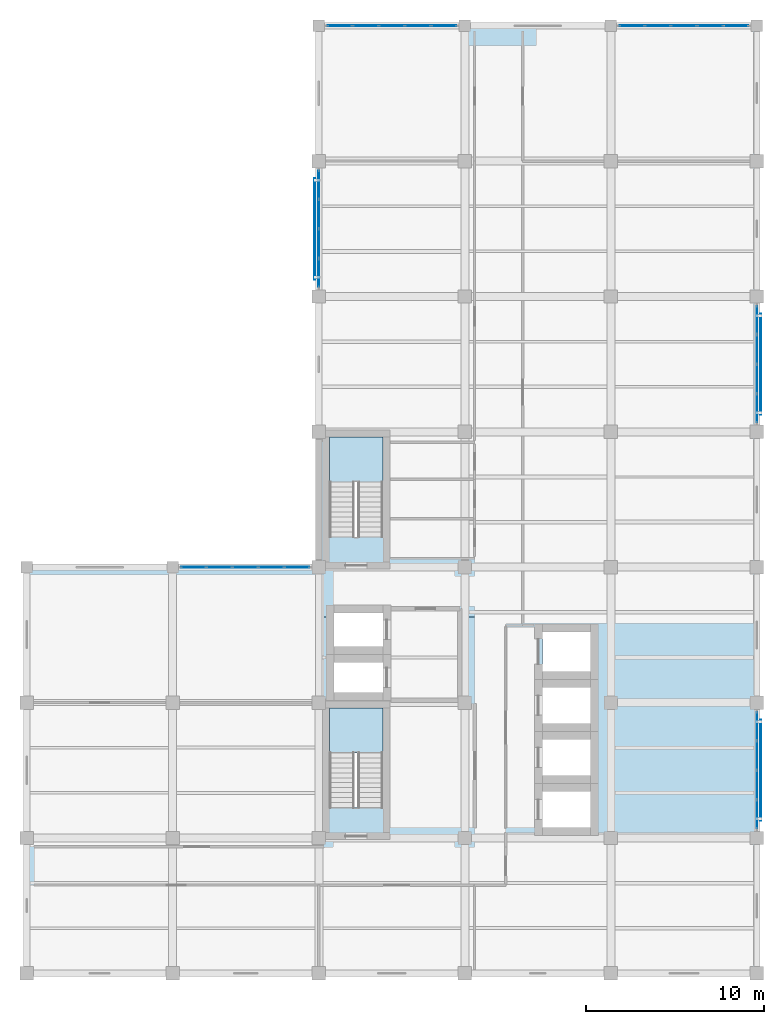
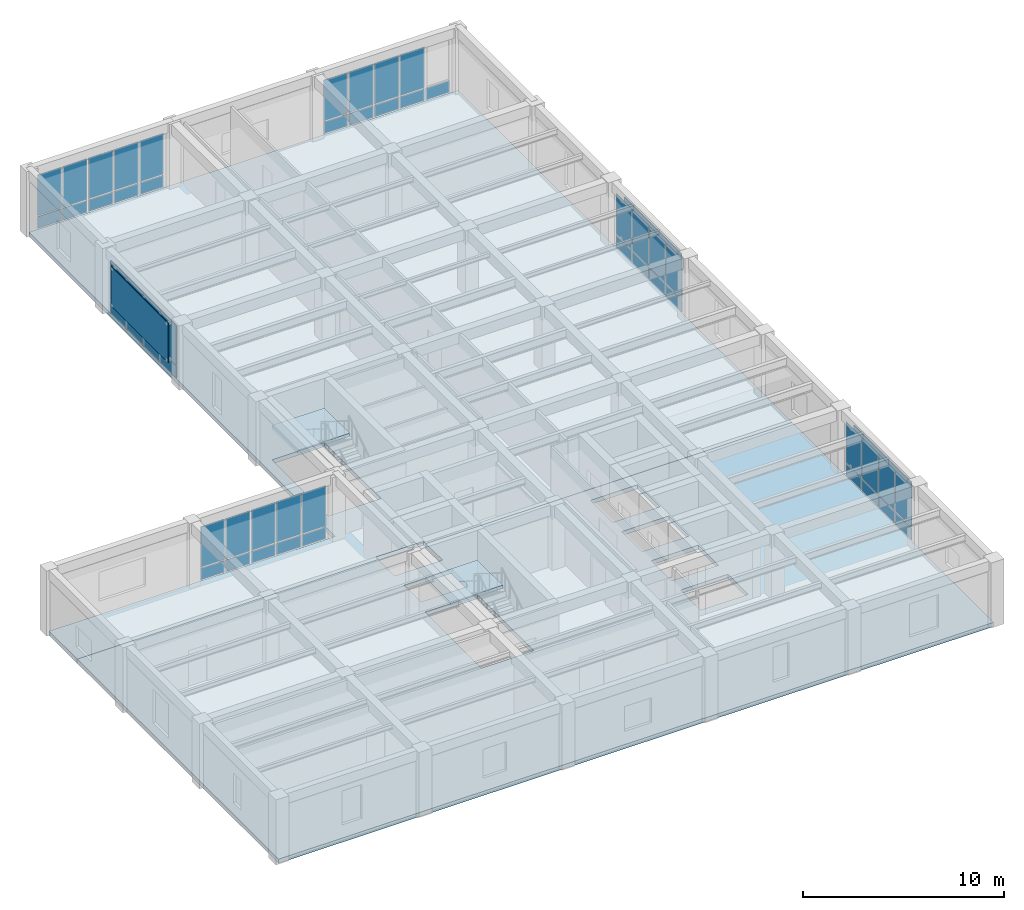
# One storey, part 6 of 14: 56 plates, 4 slabs, 8 elements without a shape of their own.
"""IFC4 building model written with IfcOpenShell, lengths in metres."""

import ifcopenshell
import ifcopenshell.guid

model = None  # the IFC model being written
_history = None  # IfcOwnerHistory: only IFC2X3 demands one
_inside = {}  # id of a spatial element -> (the spatial element, [elements in it])
_under = {}  # id of a project, library or spatial element -> (it, [spatial elements below it])
_declared = {}  # id of a project -> (the project, [libraries it declares])
_typed = {}  # id of a type object -> (the type object, [elements of that type])
_made_of = {}  # id of a material, layer set ... -> (it, [elements and type objects made of it])


def new_model(schema):
    """Start an empty IFC model of exactly this schema.

    Asked for "IFC4X3", IfcOpenShell would pick the latest addendum, in which some entities
    have other attributes; the version numbers below select the first issue.
    IFC2X3 requires an IfcOwnerHistory on every rooted entity: one is made here for all.
    """
    global model, _history
    if schema == "IFC4X3":
        model = ifcopenshell.file(schema_version=(4, 3, 0, 0))
    else:
        model = ifcopenshell.file(schema=schema)
    _inside.clear()
    _under.clear()
    _declared.clear()
    _typed.clear()
    _made_of.clear()
    _history = None
    if model.schema == "IFC2X3":
        org = make("IfcOrganization", Name="unknown")
        user = make(
            "IfcPersonAndOrganization",
            ThePerson=make("IfcPerson", FamilyName="unknown"),
            TheOrganization=org,
        )
        app = make(
            "IfcApplication",
            ApplicationDeveloper=org,
            Version="unknown",
            ApplicationFullName="unknown",
            ApplicationIdentifier="unknown",
        )
        _history = make(
            "IfcOwnerHistory",
            OwningUser=user,
            OwningApplication=app,
            ChangeAction="ADDED",
            CreationDate=0,
        )
    return model


def make(cls, **values):
    """One entity of the class cls with the attributes given. An attribute that is None is left unset."""
    return model.create_entity(
        cls, **{name: value for name, value in values.items() if value is not None}
    )


def rooted(cls, **values):
    """An entity with a GlobalId (a new one), such as an element, a storey or a relation."""
    return make(cls, GlobalId=ifcopenshell.guid.new(), OwnerHistory=_history, **values)


def si_unit(unit_type, name, prefix=None):
    """IfcSIUnit, for example si_unit("LENGTHUNIT", "METRE", prefix="MILLI")."""
    return make("IfcSIUnit", UnitType=unit_type, Prefix=prefix, Name=name)


def assignment(units):
    """IfcUnitAssignment: the units of a project."""
    return None if units is None else make("IfcUnitAssignment", Units=units)


def point(xyz):
    """IfcCartesianPoint."""
    return None if xyz is None else make("IfcCartesianPoint", Coordinates=xyz)


def direction(xyz):
    """IfcDirection."""
    return None if xyz is None else make("IfcDirection", DirectionRatios=xyz)


def frame(location, z_axis=None, x_axis=None):
    """IfcAxis2Placement3D, a coordinate frame: its origin and axes. An axis left out is left unset."""
    return make(
        "IfcAxis2Placement3D",
        Location=point(location),
        Axis=direction(z_axis),
        RefDirection=direction(x_axis),
    )


def frame_2d(location, x_axis=None):
    """IfcAxis2Placement2D, a coordinate frame in the plane: its origin and x axis."""
    return make(
        "IfcAxis2Placement2D", Location=point(location), RefDirection=direction(x_axis)
    )


def origin():
    """The frame at (0, 0, 0) with its axes left unset."""
    return frame((0.0, 0.0, 0.0))


def origin_2d():
    """The frame at (0, 0) in the plane with its x axis left unset."""
    return frame_2d((0.0, 0.0))


def place(relative_to, where):
    """IfcLocalPlacement: puts the frame where relative to a parent placement (None: the world)."""
    return make(
        "IfcLocalPlacement", PlacementRelTo=relative_to, RelativePlacement=where
    )


def context(
    kind, dimensions, precision=None, world=None, true_north=None, identifier=None
):
    """IfcGeometricRepresentationContext, for example the 3D "Model" context."""
    return make(
        "IfcGeometricRepresentationContext",
        ContextIdentifier=identifier,
        ContextType=kind,
        CoordinateSpaceDimension=dimensions,
        Precision=precision,
        WorldCoordinateSystem=world,
        TrueNorth=true_north,
    )


def subcontext(parent, identifier, kind, view, scale=None):
    """IfcGeometricRepresentationSubContext, for example "Body" below "Model"."""
    return make(
        "IfcGeometricRepresentationSubContext",
        ContextIdentifier=identifier,
        ContextType=kind,
        ParentContext=parent,
        TargetScale=scale,
        TargetView=view,
    )


def project(units=None, contexts=None):
    """IfcProject with its units and contexts."""
    return rooted(
        "IfcProject",
        Name="project",
        RepresentationContexts=contexts,
        UnitsInContext=assignment(units),
    )


def spatial(cls, under=None, at=None, **own):
    """A site, building, storey or space (cls), placed at a placement, below another one or the project."""
    s = rooted(cls, ObjectPlacement=at, **own)
    if under is not None:
        _under.setdefault(under.id(), (under, []))[1].append(s)
    return s


def polyline(points):
    """IfcPolyline through the points."""
    return make("IfcPolyline", Points=[point(p) for p in points])


def profile(cls, at=None, kind="AREA", **sizes):
    """A parametric profile (cls). Its sizes go by their IFC names, for example OverallWidth=200.0."""
    return make(cls, ProfileType=kind, Position=at, **sizes)


def rectangle(**sizes):
    """IfcRectangleProfileDef."""
    return profile("IfcRectangleProfileDef", **sizes)


def outline(outer, holes=None, kind="AREA"):
    """IfcArbitraryClosedProfileDef: a profile drawn as a closed curve; with holes, ...WithVoids."""
    if holes is None:
        return make("IfcArbitraryClosedProfileDef", ProfileType=kind, OuterCurve=outer)
    return make(
        "IfcArbitraryProfileDefWithVoids",
        ProfileType=kind,
        OuterCurve=outer,
        InnerCurves=holes,
    )


def extrude(swept, where, along, depth):
    """IfcExtrudedAreaSolid: the profile swept, set in the frame where, extruded along a direction by depth."""
    return make(
        "IfcExtrudedAreaSolid",
        SweptArea=swept,
        Position=where,
        ExtrudedDirection=direction(along),
        Depth=depth,
    )


def shape(context_of_items, identifier, shape_type, items):
    """IfcShapeRepresentation: the items that make up one representation, for example the "Body"."""
    return make(
        "IfcShapeRepresentation",
        ContextOfItems=context_of_items,
        RepresentationIdentifier=identifier,
        RepresentationType=shape_type,
        Items=items,
    )


def material(Name=None, Category=None):
    """IfcMaterial."""
    return make("IfcMaterial", Name=Name, Category=Category)


def layer(
    of_material, thickness, ventilated=None, Name=None, Category=None, Priority=None
):
    """IfcMaterialLayer: one layer of a wall or slab, of a material (None: an air gap)."""
    return make(
        "IfcMaterialLayer",
        Material=of_material,
        LayerThickness=thickness,
        IsVentilated=ventilated,
        Name=Name,
        Category=Category,
        Priority=Priority,
    )


def layer_set(layers, Name=None):
    """IfcMaterialLayerSet."""
    return make("IfcMaterialLayerSet", MaterialLayers=layers, LayerSetName=Name)


def made_of(thing, what):
    """Note that an element or type object is made of a material, layer set ...; save() writes the relation."""
    if what is not None:
        _made_of.setdefault(what.id(), (what, []))[1].append(thing)
    return thing


def type_object(cls, material=None, **own):
    """A type object (cls), such as IfcWallType, which elements share."""
    return made_of(rooted(cls, **own), material)


def element(
    cls,
    number,
    at=None,
    inside=None,
    cuts=None,
    type_object=None,
    material=None,
    context=None,
    identifier="Body",
    shape_type=None,
    held_by="IfcProductDefinitionShape",
    body=None,
    shapes=None,
    **own,
):
    """One element of the class cls, such as IfcWall. Its Tag is "e" and its number.

    at: its placement. inside: the storey or other place that contains it. cuts: it is an
    opening in that element (IfcRelVoidsElement). A single representation is given by context,
    identifier, shape_type and body (its items); several are given by shapes. held_by: the class
    of the entity that holds the representations. save() writes the other relations.
    """
    e = rooted(cls, Tag="e%d" % number, ObjectPlacement=at, **own)
    if body is not None:
        shapes = [shape(context, identifier, shape_type, body)]
    if shapes is not None:
        e.Representation = make(held_by, Representations=shapes)
    if inside is not None:
        _inside.setdefault(inside.id(), (inside, []))[1].append(e)
    if cuts is not None:
        rooted(
            "IfcRelVoidsElement", RelatingBuildingElement=cuts, RelatedOpeningElement=e
        )
    if type_object is not None:
        _typed.setdefault(type_object.id(), (type_object, []))[1].append(e)
    return made_of(e, material)


def aggregate(whole, parts):
    """IfcRelAggregates: a whole, such as a stair, and the parts it consists of."""
    return rooted("IfcRelAggregates", RelatingObject=whole, RelatedObjects=parts)


def save(model, path):
    """Write the relations noted so far, then the file.

    IfcRelAggregates (storeys below a building ...), IfcRelContainedInSpatialStructure (elements
    in a storey), IfcRelDefinesByType, IfcRelAssociatesMaterial and IfcRelDeclares: one each for
    every whole, place, type object, material and project.
    """
    for whole, parts in _under.values():
        aggregate(whole, parts)
    for where, things in _inside.values():
        rooted(
            "IfcRelContainedInSpatialStructure",
            RelatedElements=things,
            RelatingStructure=where,
        )
    for kind, things in _typed.values():
        rooted("IfcRelDefinesByType", RelatedObjects=things, RelatingType=kind)
    for what, things in _made_of.values():
        rooted("IfcRelAssociatesMaterial", RelatedObjects=things, RelatingMaterial=what)
    for by, libraries in _declared.values():
        rooted("IfcRelDeclares", RelatingContext=by, RelatedDefinitions=libraries)
    model.write(path)


model = new_model("IFC4")

# Units and contexts
model_context = context("Model", 3, precision=1e-05, world=origin(), true_north=direction((0.0, 1.0)))
body_context = subcontext(model_context, "Body", "Model", "MODEL_VIEW")
ifc_project = project(units=[si_unit("LENGTHUNIT", "METRE"), si_unit("AREAUNIT", "SQUARE_METRE"), si_unit("VOLUMEUNIT", "CUBIC_METRE"), si_unit("PLANEANGLEUNIT", "RADIAN"), si_unit("MASSUNIT", "GRAM", prefix="KILO")], contexts=[model_context])

# Site, building, storey
site_placement = place(None, origin())
site = spatial("IfcSite", under=ifc_project, at=site_placement, CompositionType="ELEMENT")
building_placement = place(site_placement, origin())
building = spatial("IfcBuilding", under=site, at=building_placement, Name="Qandaris Square Conservatory and Botanical Centre", CompositionType="ELEMENT")
storey_placement = place(building_placement, frame((0.0, 0.0, 49.199951171875)))
storey = spatial("IfcBuildingStorey", under=building, at=storey_placement, Name="L11", CompositionType="ELEMENT", Elevation=49.199951171875)

# Curtain wall, plates
ifc_material_1 = material(Name="Anodised Aluminium", Category="aluminium")
curtain_wall_type_1 = type_object("IfcCurtainWallType", Name="Unitised Curtain Wall CW-4-665x334", PredefinedType="USERDEFINED", material=ifc_material_1)
curtain_wall_1_placement = place(storey_placement, origin())
curtain_wall_1 = element("IfcCurtainWall", 1, at=curtain_wall_1_placement, inside=storey, type_object=curtain_wall_type_1, Name="Curtain Wall CW-TWR-L11-2-2", ObjectType="GLAZED CURTAIN WALL", PredefinedType="USERDEFINED")
ifc_material_2 = material(Name="Tempered Low-E Glass", Category="glass")
ifc_layer_1 = layer(ifc_material_2, 0.035888671875)
ifc_layer_set_1 = layer_set([ifc_layer_1], Name="Tempered Low-E Glass")
plate_type_1 = type_object("IfcPlateType", Name="Double-Glazed Solar Control Vision Unit 36mm", PredefinedType="CURTAIN_PANEL", material=ifc_layer_set_1)
plate_1_placement = place(storey_placement, frame((163.800048828125, 25.5224609375, 0.06494140625), z_axis=(0.0, 0.0, 1.0), x_axis=(0.0, 1.0, 0.0)))
plate_1 = element("IfcPlate", 2, at=plate_1_placement, type_object=plate_type_1, Name="CW-4-665x334 panel 1.1", PredefinedType="CURTAIN_PANEL", context=body_context, shape_type="SweptSolid", body=[
    extrude(rectangle(XDim=1.56494140625, YDim=0.035888671875, at=origin_2d()), origin(), (0.0, 0.0, 1.0), 0.705322265625),
])
plate_2_placement = place(storey_placement, frame((163.800048828125, 25.5224609375, 0.83544921875), z_axis=(0.0, 0.0, 1.0), x_axis=(0.0, 1.0, 0.0)))
plate_2 = element("IfcPlate", 3, at=plate_2_placement, type_object=plate_type_1, Name="CW-4-665x334 panel 1.2", PredefinedType="CURTAIN_PANEL", context=body_context, shape_type="SweptSolid", body=[
    extrude(rectangle(XDim=1.56494140625, YDim=0.035888671875, at=origin_2d()), origin(), (0.0, 0.0, 1.0), 2.444580078125),
])
plate_3_placement = place(storey_placement, frame((163.800048828125, 27.168701171875, 0.06494140625), z_axis=(0.0, 0.0, 1.0), x_axis=(0.0, 1.0, 0.0)))
plate_3 = element("IfcPlate", 4, at=plate_3_placement, type_object=plate_type_1, Name="CW-4-665x334 panel 2.1", PredefinedType="CURTAIN_PANEL", context=body_context, shape_type="SweptSolid", body=[
    extrude(rectangle(XDim=1.597412109375, YDim=0.035888671875, at=origin_2d()), origin(), (0.0, 0.0, 1.0), 0.705322265625),
])
plate_4_placement = place(storey_placement, frame((163.800048828125, 27.168701171875, 0.83544921875), z_axis=(0.0, 0.0, 1.0), x_axis=(0.0, 1.0, 0.0)))
plate_4 = element("IfcPlate", 5, at=plate_4_placement, type_object=plate_type_1, Name="CW-4-665x334 panel 2.2", PredefinedType="CURTAIN_PANEL", context=body_context, shape_type="SweptSolid", body=[
    extrude(rectangle(XDim=1.597412109375, YDim=0.035888671875, at=origin_2d()), origin(), (0.0, 0.0, 1.0), 2.444580078125),
])
plate_5_placement = place(storey_placement, frame((163.800048828125, 28.831298828125, 0.06494140625), z_axis=(0.0, 0.0, 1.0), x_axis=(0.0, 1.0, 0.0)))
plate_5 = element("IfcPlate", 6, at=plate_5_placement, type_object=plate_type_1, Name="CW-4-665x334 panel 3.1", PredefinedType="CURTAIN_PANEL", context=body_context, shape_type="SweptSolid", body=[
    extrude(rectangle(XDim=1.597412109375, YDim=0.035888671875, at=origin_2d()), origin(), (0.0, 0.0, 1.0), 0.705322265625),
])
plate_6_placement = place(storey_placement, frame((163.800048828125, 28.831298828125, 0.83544921875), z_axis=(0.0, 0.0, 1.0), x_axis=(0.0, 1.0, 0.0)))
plate_6 = element("IfcPlate", 7, at=plate_6_placement, type_object=plate_type_1, Name="CW-4-665x334 panel 3.2", PredefinedType="CURTAIN_PANEL", context=body_context, shape_type="SweptSolid", body=[
    extrude(rectangle(XDim=1.597412109375, YDim=0.035888671875, at=origin_2d()), origin(), (0.0, 0.0, 1.0), 2.444580078125),
])
plate_7_placement = place(storey_placement, frame((163.800048828125, 30.4775390625, 0.06494140625), z_axis=(0.0, 0.0, 1.0), x_axis=(0.0, 1.0, 0.0)))
plate_7 = element("IfcPlate", 8, at=plate_7_placement, type_object=plate_type_1, Name="CW-4-665x334 panel 4.1", PredefinedType="CURTAIN_PANEL", context=body_context, shape_type="SweptSolid", body=[
    extrude(rectangle(XDim=1.56494140625, YDim=0.035888671875, at=origin_2d()), origin(), (0.0, 0.0, 1.0), 0.705322265625),
])
plate_8_placement = place(storey_placement, frame((163.800048828125, 30.4775390625, 0.83544921875), z_axis=(0.0, 0.0, 1.0), x_axis=(0.0, 1.0, 0.0)))
plate_8 = element("IfcPlate", 9, at=plate_8_placement, type_object=plate_type_1, Name="CW-4-665x334 panel 4.2", PredefinedType="CURTAIN_PANEL", context=body_context, shape_type="SweptSolid", body=[
    extrude(rectangle(XDim=1.56494140625, YDim=0.035888671875, at=origin_2d()), origin(), (0.0, 0.0, 1.0), 2.444580078125),
])
aggregate(curtain_wall_1, [plate_1, plate_2, plate_3, plate_4, plate_5, plate_6, plate_7, plate_8])

curtain_wall_2_placement = place(storey_placement, origin())
curtain_wall_2 = element("IfcCurtainWall", 10, at=curtain_wall_2_placement, inside=storey, type_object=curtain_wall_type_1, Name="Curtain Wall CW-TWR-L11-2-5", ObjectType="GLAZED CURTAIN WALL", PredefinedType="USERDEFINED")
plate_9_placement = place(storey_placement, frame((163.800048828125, 48.322509765625, 0.06494140625), z_axis=(0.0, 0.0, 1.0), x_axis=(0.0, 1.0, 0.0)))
plate_9 = element("IfcPlate", 11, at=plate_9_placement, type_object=plate_type_1, Name="CW-4-665x334 panel 1.1", PredefinedType="CURTAIN_PANEL", context=body_context, shape_type="SweptSolid", body=[
    extrude(rectangle(XDim=1.56494140625, YDim=0.035888671875, at=origin_2d()), origin(), (0.0, 0.0, 1.0), 0.705322265625),
])
plate_10_placement = place(storey_placement, frame((163.800048828125, 48.322509765625, 0.83544921875), z_axis=(0.0, 0.0, 1.0), x_axis=(0.0, 1.0, 0.0)))
plate_10 = element("IfcPlate", 12, at=plate_10_placement, type_object=plate_type_1, Name="CW-4-665x334 panel 1.2", PredefinedType="CURTAIN_PANEL", context=body_context, shape_type="SweptSolid", body=[
    extrude(rectangle(XDim=1.56494140625, YDim=0.035888671875, at=origin_2d()), origin(), (0.0, 0.0, 1.0), 2.444580078125),
])
plate_11_placement = place(storey_placement, frame((163.800048828125, 49.96875, 0.06494140625), z_axis=(0.0, 0.0, 1.0), x_axis=(0.0, 1.0, 0.0)))
plate_11 = element("IfcPlate", 13, at=plate_11_placement, type_object=plate_type_1, Name="CW-4-665x334 panel 2.1", PredefinedType="CURTAIN_PANEL", context=body_context, shape_type="SweptSolid", body=[
    extrude(rectangle(XDim=1.597412109375, YDim=0.035888671875, at=origin_2d()), origin(), (0.0, 0.0, 1.0), 0.705322265625),
])
plate_12_placement = place(storey_placement, frame((163.800048828125, 49.96875, 0.83544921875), z_axis=(0.0, 0.0, 1.0), x_axis=(0.0, 1.0, 0.0)))
plate_12 = element("IfcPlate", 14, at=plate_12_placement, type_object=plate_type_1, Name="CW-4-665x334 panel 2.2", PredefinedType="CURTAIN_PANEL", context=body_context, shape_type="SweptSolid", body=[
    extrude(rectangle(XDim=1.597412109375, YDim=0.035888671875, at=origin_2d()), origin(), (0.0, 0.0, 1.0), 2.444580078125),
])
plate_13_placement = place(storey_placement, frame((163.800048828125, 51.63134765625, 0.06494140625), z_axis=(0.0, 0.0, 1.0), x_axis=(0.0, 1.0, 0.0)))
plate_13 = element("IfcPlate", 15, at=plate_13_placement, type_object=plate_type_1, Name="CW-4-665x334 panel 3.1", PredefinedType="CURTAIN_PANEL", context=body_context, shape_type="SweptSolid", body=[
    extrude(rectangle(XDim=1.597412109375, YDim=0.035888671875, at=origin_2d()), origin(), (0.0, 0.0, 1.0), 0.705322265625),
])
plate_14_placement = place(storey_placement, frame((163.800048828125, 51.63134765625, 0.83544921875), z_axis=(0.0, 0.0, 1.0), x_axis=(0.0, 1.0, 0.0)))
plate_14 = element("IfcPlate", 16, at=plate_14_placement, type_object=plate_type_1, Name="CW-4-665x334 panel 3.2", PredefinedType="CURTAIN_PANEL", context=body_context, shape_type="SweptSolid", body=[
    extrude(rectangle(XDim=1.597412109375, YDim=0.035888671875, at=origin_2d()), origin(), (0.0, 0.0, 1.0), 2.444580078125),
])
plate_15_placement = place(storey_placement, frame((163.800048828125, 53.277587890625, 0.06494140625), z_axis=(0.0, 0.0, 1.0), x_axis=(0.0, 1.0, 0.0)))
plate_15 = element("IfcPlate", 17, at=plate_15_placement, type_object=plate_type_1, Name="CW-4-665x334 panel 4.1", PredefinedType="CURTAIN_PANEL", context=body_context, shape_type="SweptSolid", body=[
    extrude(rectangle(XDim=1.56494140625, YDim=0.035888671875, at=origin_2d()), origin(), (0.0, 0.0, 1.0), 0.705322265625),
])
plate_16_placement = place(storey_placement, frame((163.800048828125, 53.277587890625, 0.83544921875), z_axis=(0.0, 0.0, 1.0), x_axis=(0.0, 1.0, 0.0)))
plate_16 = element("IfcPlate", 18, at=plate_16_placement, type_object=plate_type_1, Name="CW-4-665x334 panel 4.2", PredefinedType="CURTAIN_PANEL", context=body_context, shape_type="SweptSolid", body=[
    extrude(rectangle(XDim=1.56494140625, YDim=0.035888671875, at=origin_2d()), origin(), (0.0, 0.0, 1.0), 2.444580078125),
])
aggregate(curtain_wall_2, [plate_9, plate_10, plate_11, plate_12, plate_13, plate_14, plate_15, plate_16])

curtain_wall_type_2 = type_object("IfcCurtainWallType", Name="Unitised Curtain Wall CW-3-735x337", PredefinedType="USERDEFINED", material=ifc_material_1)
curtain_wall_3_placement = place(storey_placement, origin())
curtain_wall_3 = element("IfcCurtainWall", 19, at=curtain_wall_3_placement, inside=storey, type_object=curtain_wall_type_2, Name="Curtain Wall CW-TWR-L11-3-1", ObjectType="GLAZED CURTAIN WALL", PredefinedType="USERDEFINED")
plate_17_placement = place(storey_placement, frame((162.623779296875, 69.800048828125, 0.06494140625), z_axis=(0.0, 0.0, 1.0), x_axis=(-1.0, 0.0, 0.0)))
plate_17 = element("IfcPlate", 20, at=plate_17_placement, type_object=plate_type_1, Name="CW-3-735x337 panel 1.1", PredefinedType="CURTAIN_PANEL", context=body_context, shape_type="SweptSolid", body=[
    extrude(rectangle(XDim=1.37255859375, YDim=0.035888671875, at=origin_2d()), origin(), (0.0, 0.0, 1.0), 0.711181640625),
])
plate_18_placement = place(storey_placement, frame((161.169921875, 69.800048828125, 0.06494140625), z_axis=(0.0, 0.0, 1.0), x_axis=(-1.0, 0.0, 0.0)))
plate_18 = element("IfcPlate", 21, at=plate_18_placement, type_object=plate_type_1, Name="CW-3-735x337 panel 2.1", PredefinedType="CURTAIN_PANEL", context=body_context, shape_type="SweptSolid", body=[
    extrude(rectangle(XDim=1.405029296875, YDim=0.035888671875, at=origin_2d()), origin(), (0.0, 0.0, 1.0), 0.711181640625),
])
plate_19_placement = place(storey_placement, frame((161.169921875, 69.800048828125, 0.84130859375), z_axis=(0.0, 0.0, 1.0), x_axis=(-1.0, 0.0, 0.0)))
plate_19 = element("IfcPlate", 22, at=plate_19_placement, type_object=plate_type_1, Name="CW-3-735x337 panel 2.2", PredefinedType="CURTAIN_PANEL", context=body_context, shape_type="SweptSolid", body=[
    extrude(rectangle(XDim=1.405029296875, YDim=0.035888671875, at=origin_2d()), origin(), (0.0, 0.0, 1.0), 2.463623046875),
])
plate_20_placement = place(storey_placement, frame((159.699951171875, 69.800048828125, 0.06494140625), z_axis=(0.0, 0.0, 1.0), x_axis=(-1.0, 0.0, 0.0)))
plate_20 = element("IfcPlate", 23, at=plate_20_placement, type_object=plate_type_1, Name="CW-3-735x337 panel 3.1", PredefinedType="CURTAIN_PANEL", context=body_context, shape_type="SweptSolid", body=[
    extrude(rectangle(XDim=1.405029296875, YDim=0.035888671875, at=origin_2d()), origin(), (0.0, 0.0, 1.0), 0.711181640625),
])
plate_21_placement = place(storey_placement, frame((159.699951171875, 69.800048828125, 0.84130859375), z_axis=(0.0, 0.0, 1.0), x_axis=(-1.0, 0.0, 0.0)))
plate_21 = element("IfcPlate", 24, at=plate_21_placement, type_object=plate_type_1, Name="CW-3-735x337 panel 3.2", PredefinedType="CURTAIN_PANEL", context=body_context, shape_type="SweptSolid", body=[
    extrude(rectangle(XDim=1.405029296875, YDim=0.035888671875, at=origin_2d()), origin(), (0.0, 0.0, 1.0), 2.463623046875),
])
plate_22_placement = place(storey_placement, frame((158.22998046875, 69.800048828125, 0.06494140625), z_axis=(0.0, 0.0, 1.0), x_axis=(-1.0, 0.0, 0.0)))
plate_22 = element("IfcPlate", 25, at=plate_22_placement, type_object=plate_type_1, Name="CW-3-735x337 panel 4.1", PredefinedType="CURTAIN_PANEL", context=body_context, shape_type="SweptSolid", body=[
    extrude(rectangle(XDim=1.405029296875, YDim=0.035888671875, at=origin_2d()), origin(), (0.0, 0.0, 1.0), 0.711181640625),
])
plate_23_placement = place(storey_placement, frame((158.22998046875, 69.800048828125, 0.84130859375), z_axis=(0.0, 0.0, 1.0), x_axis=(-1.0, 0.0, 0.0)))
plate_23 = element("IfcPlate", 26, at=plate_23_placement, type_object=plate_type_1, Name="CW-3-735x337 panel 4.2", PredefinedType="CURTAIN_PANEL", context=body_context, shape_type="SweptSolid", body=[
    extrude(rectangle(XDim=1.405029296875, YDim=0.035888671875, at=origin_2d()), origin(), (0.0, 0.0, 1.0), 2.463623046875),
])
plate_24_placement = place(storey_placement, frame((156.7763671875, 69.800048828125, 0.06494140625), z_axis=(0.0, 0.0, 1.0), x_axis=(-1.0, 0.0, 0.0)))
plate_24 = element("IfcPlate", 27, at=plate_24_placement, type_object=plate_type_1, Name="CW-3-735x337 panel 5.1", PredefinedType="CURTAIN_PANEL", context=body_context, shape_type="SweptSolid", body=[
    extrude(rectangle(XDim=1.37255859375, YDim=0.035888671875, at=origin_2d()), origin(), (0.0, 0.0, 1.0), 0.711181640625),
])
plate_25_placement = place(storey_placement, frame((156.7763671875, 69.800048828125, 0.84130859375), z_axis=(0.0, 0.0, 1.0), x_axis=(-1.0, 0.0, 0.0)))
plate_25 = element("IfcPlate", 28, at=plate_25_placement, type_object=plate_type_1, Name="CW-3-735x337 panel 5.2", PredefinedType="CURTAIN_PANEL", context=body_context, shape_type="SweptSolid", body=[
    extrude(rectangle(XDim=1.37255859375, YDim=0.035888671875, at=origin_2d()), origin(), (0.0, 0.0, 1.0), 2.463623046875),
])
aggregate(curtain_wall_3, [plate_17, plate_18, plate_19, plate_20, plate_21, plate_22, plate_23, plate_24, plate_25])

curtain_wall_4_placement = place(storey_placement, origin())
curtain_wall_4 = element("IfcCurtainWall", 29, at=curtain_wall_4_placement, inside=storey, type_object=curtain_wall_type_2, Name="Curtain Wall CW-TWR-L11-3-3", ObjectType="GLAZED CURTAIN WALL", PredefinedType="USERDEFINED")
plate_26_placement = place(storey_placement, frame((146.2236328125, 69.800048828125, 0.06494140625), z_axis=(0.0, 0.0, 1.0), x_axis=(-1.0, 0.0, 0.0)))
plate_26 = element("IfcPlate", 30, at=plate_26_placement, type_object=plate_type_1, Name="CW-3-735x337 panel 1.1", PredefinedType="CURTAIN_PANEL", context=body_context, shape_type="SweptSolid", body=[
    extrude(rectangle(XDim=1.37255859375, YDim=0.035888671875, at=origin_2d()), origin(), (0.0, 0.0, 1.0), 0.711181640625),
])
plate_27_placement = place(storey_placement, frame((146.2236328125, 69.800048828125, 0.84130859375), z_axis=(0.0, 0.0, 1.0), x_axis=(-1.0, 0.0, 0.0)))
plate_27 = element("IfcPlate", 31, at=plate_27_placement, type_object=plate_type_1, Name="CW-3-735x337 panel 1.2", PredefinedType="CURTAIN_PANEL", context=body_context, shape_type="SweptSolid", body=[
    extrude(rectangle(XDim=1.37255859375, YDim=0.035888671875, at=origin_2d()), origin(), (0.0, 0.0, 1.0), 2.463623046875),
])
plate_28_placement = place(storey_placement, frame((144.77001953125, 69.800048828125, 0.06494140625), z_axis=(0.0, 0.0, 1.0), x_axis=(-1.0, 0.0, 0.0)))
plate_28 = element("IfcPlate", 32, at=plate_28_placement, type_object=plate_type_1, Name="CW-3-735x337 panel 2.1", PredefinedType="CURTAIN_PANEL", context=body_context, shape_type="SweptSolid", body=[
    extrude(rectangle(XDim=1.405029296875, YDim=0.035888671875, at=origin_2d()), origin(), (0.0, 0.0, 1.0), 0.711181640625),
])
plate_29_placement = place(storey_placement, frame((144.77001953125, 69.800048828125, 0.84130859375), z_axis=(0.0, 0.0, 1.0), x_axis=(-1.0, 0.0, 0.0)))
plate_29 = element("IfcPlate", 33, at=plate_29_placement, type_object=plate_type_1, Name="CW-3-735x337 panel 2.2", PredefinedType="CURTAIN_PANEL", context=body_context, shape_type="SweptSolid", body=[
    extrude(rectangle(XDim=1.405029296875, YDim=0.035888671875, at=origin_2d()), origin(), (0.0, 0.0, 1.0), 2.463623046875),
])
plate_30_placement = place(storey_placement, frame((143.300048828125, 69.800048828125, 0.06494140625), z_axis=(0.0, 0.0, 1.0), x_axis=(-1.0, 0.0, 0.0)))
plate_30 = element("IfcPlate", 34, at=plate_30_placement, type_object=plate_type_1, Name="CW-3-735x337 panel 3.1", PredefinedType="CURTAIN_PANEL", context=body_context, shape_type="SweptSolid", body=[
    extrude(rectangle(XDim=1.405029296875, YDim=0.035888671875, at=origin_2d()), origin(), (0.0, 0.0, 1.0), 0.711181640625),
])
plate_31_placement = place(storey_placement, frame((143.300048828125, 69.800048828125, 0.84130859375), z_axis=(0.0, 0.0, 1.0), x_axis=(-1.0, 0.0, 0.0)))
plate_31 = element("IfcPlate", 35, at=plate_31_placement, type_object=plate_type_1, Name="CW-3-735x337 panel 3.2", PredefinedType="CURTAIN_PANEL", context=body_context, shape_type="SweptSolid", body=[
    extrude(rectangle(XDim=1.405029296875, YDim=0.035888671875, at=origin_2d()), origin(), (0.0, 0.0, 1.0), 2.463623046875),
])
plate_32_placement = place(storey_placement, frame((141.830078125, 69.800048828125, 0.06494140625), z_axis=(0.0, 0.0, 1.0), x_axis=(-1.0, 0.0, 0.0)))
plate_32 = element("IfcPlate", 36, at=plate_32_placement, type_object=plate_type_1, Name="CW-3-735x337 panel 4.1", PredefinedType="CURTAIN_PANEL", context=body_context, shape_type="SweptSolid", body=[
    extrude(rectangle(XDim=1.405029296875, YDim=0.035888671875, at=origin_2d()), origin(), (0.0, 0.0, 1.0), 0.711181640625),
])
plate_33_placement = place(storey_placement, frame((141.830078125, 69.800048828125, 0.84130859375), z_axis=(0.0, 0.0, 1.0), x_axis=(-1.0, 0.0, 0.0)))
plate_33 = element("IfcPlate", 37, at=plate_33_placement, type_object=plate_type_1, Name="CW-3-735x337 panel 4.2", PredefinedType="CURTAIN_PANEL", context=body_context, shape_type="SweptSolid", body=[
    extrude(rectangle(XDim=1.405029296875, YDim=0.035888671875, at=origin_2d()), origin(), (0.0, 0.0, 1.0), 2.463623046875),
])
plate_34_placement = place(storey_placement, frame((140.376220703125, 69.800048828125, 0.06494140625), z_axis=(0.0, 0.0, 1.0), x_axis=(-1.0, 0.0, 0.0)))
plate_34 = element("IfcPlate", 38, at=plate_34_placement, type_object=plate_type_1, Name="CW-3-735x337 panel 5.1", PredefinedType="CURTAIN_PANEL", context=body_context, shape_type="SweptSolid", body=[
    extrude(rectangle(XDim=1.37255859375, YDim=0.035888671875, at=origin_2d()), origin(), (0.0, 0.0, 1.0), 0.711181640625),
])
plate_35_placement = place(storey_placement, frame((140.376220703125, 69.800048828125, 0.84130859375), z_axis=(0.0, 0.0, 1.0), x_axis=(-1.0, 0.0, 0.0)))
plate_35 = element("IfcPlate", 39, at=plate_35_placement, type_object=plate_type_1, Name="CW-3-735x337 panel 5.2", PredefinedType="CURTAIN_PANEL", context=body_context, shape_type="SweptSolid", body=[
    extrude(rectangle(XDim=1.37255859375, YDim=0.035888671875, at=origin_2d()), origin(), (0.0, 0.0, 1.0), 2.463623046875),
])
aggregate(curtain_wall_4, [plate_26, plate_27, plate_28, plate_29, plate_30, plate_31, plate_32, plate_33, plate_34, plate_35])

curtain_wall_type_3 = type_object("IfcCurtainWallType", Name="Unitised Curtain Wall CW-4-665x330", PredefinedType="USERDEFINED", material=ifc_material_1)
curtain_wall_5_placement = place(storey_placement, origin())
curtain_wall_5 = element("IfcCurtainWall", 40, at=curtain_wall_5_placement, inside=storey, type_object=curtain_wall_type_3, Name="Curtain Wall CW-TWR-L11-4-2", ObjectType="GLAZED CURTAIN WALL", PredefinedType="USERDEFINED")
plate_36_placement = place(storey_placement, frame((139.199951171875, 60.87744140625, 0.06494140625), z_axis=(0.0, 0.0, 1.0), x_axis=(0.0, -1.0, 0.0)))
plate_36 = element("IfcPlate", 41, at=plate_36_placement, type_object=plate_type_1, Name="CW-4-665x330 panel 1.1", PredefinedType="CURTAIN_PANEL", context=body_context, shape_type="SweptSolid", body=[
    extrude(rectangle(XDim=1.56494140625, YDim=0.035888671875, at=origin_2d()), origin(), (0.0, 0.0, 1.0), 0.694580078125),
])
plate_37_placement = place(storey_placement, frame((139.199951171875, 60.87744140625, 0.82470703125), z_axis=(0.0, 0.0, 1.0), x_axis=(0.0, -1.0, 0.0)))
plate_37 = element("IfcPlate", 42, at=plate_37_placement, type_object=plate_type_1, Name="CW-4-665x330 panel 1.2", PredefinedType="CURTAIN_PANEL", context=body_context, shape_type="SweptSolid", body=[
    extrude(rectangle(XDim=1.56494140625, YDim=0.035888671875, at=origin_2d()), origin(), (0.0, 0.0, 1.0), 2.410400390625),
])
plate_38_placement = place(storey_placement, frame((139.199951171875, 59.231201171875, 0.06494140625), z_axis=(0.0, 0.0, 1.0), x_axis=(0.0, -1.0, 0.0)))
plate_38 = element("IfcPlate", 43, at=plate_38_placement, type_object=plate_type_1, Name="CW-4-665x330 panel 2.1", PredefinedType="CURTAIN_PANEL", context=body_context, shape_type="SweptSolid", body=[
    extrude(rectangle(XDim=1.597412109375, YDim=0.035888671875, at=origin_2d()), origin(), (0.0, 0.0, 1.0), 0.694580078125),
])
plate_39_placement = place(storey_placement, frame((139.199951171875, 59.231201171875, 0.82470703125), z_axis=(0.0, 0.0, 1.0), x_axis=(0.0, -1.0, 0.0)))
plate_39 = element("IfcPlate", 44, at=plate_39_placement, type_object=plate_type_1, Name="CW-4-665x330 panel 2.2", PredefinedType="CURTAIN_PANEL", context=body_context, shape_type="SweptSolid", body=[
    extrude(rectangle(XDim=1.597412109375, YDim=0.035888671875, at=origin_2d()), origin(), (0.0, 0.0, 1.0), 2.410400390625),
])
plate_40_placement = place(storey_placement, frame((139.199951171875, 57.56884765625, 0.06494140625), z_axis=(0.0, 0.0, 1.0), x_axis=(0.0, -1.0, 0.0)))
plate_40 = element("IfcPlate", 45, at=plate_40_placement, type_object=plate_type_1, Name="CW-4-665x330 panel 3.1", PredefinedType="CURTAIN_PANEL", context=body_context, shape_type="SweptSolid", body=[
    extrude(rectangle(XDim=1.597412109375, YDim=0.035888671875, at=origin_2d()), origin(), (0.0, 0.0, 1.0), 0.694580078125),
])
plate_41_placement = place(storey_placement, frame((139.199951171875, 57.56884765625, 0.82470703125), z_axis=(0.0, 0.0, 1.0), x_axis=(0.0, -1.0, 0.0)))
plate_41 = element("IfcPlate", 46, at=plate_41_placement, type_object=plate_type_1, Name="CW-4-665x330 panel 3.2", PredefinedType="CURTAIN_PANEL", context=body_context, shape_type="SweptSolid", body=[
    extrude(rectangle(XDim=1.597412109375, YDim=0.035888671875, at=origin_2d()), origin(), (0.0, 0.0, 1.0), 2.410400390625),
])
plate_42_placement = place(storey_placement, frame((139.199951171875, 55.922607421875, 0.06494140625), z_axis=(0.0, 0.0, 1.0), x_axis=(0.0, -1.0, 0.0)))
plate_42 = element("IfcPlate", 47, at=plate_42_placement, type_object=plate_type_1, Name="CW-4-665x330 panel 4.1", PredefinedType="CURTAIN_PANEL", context=body_context, shape_type="SweptSolid", body=[
    extrude(rectangle(XDim=1.56494140625, YDim=0.035888671875, at=origin_2d()), origin(), (0.0, 0.0, 1.0), 0.694580078125),
])
plate_43_placement = place(storey_placement, frame((139.199951171875, 55.922607421875, 0.82470703125), z_axis=(0.0, 0.0, 1.0), x_axis=(0.0, -1.0, 0.0)))
plate_43 = element("IfcPlate", 48, at=plate_43_placement, type_object=plate_type_1, Name="CW-4-665x330 panel 4.2", PredefinedType="CURTAIN_PANEL", context=body_context, shape_type="SweptSolid", body=[
    extrude(rectangle(XDim=1.56494140625, YDim=0.035888671875, at=origin_2d()), origin(), (0.0, 0.0, 1.0), 2.410400390625),
])
aggregate(curtain_wall_5, [plate_36, plate_37, plate_38, plate_39, plate_40, plate_41, plate_42, plate_43])

curtain_wall_type_4 = type_object("IfcCurtainWallType", Name="Unitised Curtain Wall CW-4-730x334", PredefinedType="USERDEFINED", material=ifc_material_1)
curtain_wall_6_placement = place(storey_placement, origin())
curtain_wall_6 = element("IfcCurtainWall", 49, at=curtain_wall_6_placement, inside=storey, type_object=curtain_wall_type_4, Name="Curtain Wall CW-TWR-L11-5-1", ObjectType="GLAZED CURTAIN WALL", PredefinedType="USERDEFINED")
plate_44_placement = place(storey_placement, frame((137.978759765625, 39.39990234375, 0.06494140625), z_axis=(0.0, 0.0, 1.0), x_axis=(-1.0, 0.0, 0.0)))
plate_44 = element("IfcPlate", 50, at=plate_44_placement, type_object=plate_type_1, Name="CW-4-730x334 panel 1.1", PredefinedType="CURTAIN_PANEL", context=body_context, shape_type="SweptSolid", body=[
    extrude(rectangle(XDim=1.362548828125, YDim=0.035888671875, at=origin_2d()), origin(), (0.0, 0.0, 1.0), 0.705322265625),
])
plate_45_placement = place(storey_placement, frame((137.978759765625, 39.39990234375, 0.83544921875), z_axis=(0.0, 0.0, 1.0), x_axis=(-1.0, 0.0, 0.0)))
plate_45 = element("IfcPlate", 51, at=plate_45_placement, type_object=plate_type_1, Name="CW-4-730x334 panel 1.2", PredefinedType="CURTAIN_PANEL", context=body_context, shape_type="SweptSolid", body=[
    extrude(rectangle(XDim=1.362548828125, YDim=0.035888671875, at=origin_2d()), origin(), (0.0, 0.0, 1.0), 2.444580078125),
])
plate_46_placement = place(storey_placement, frame((136.534912109375, 39.39990234375, 0.06494140625), z_axis=(0.0, 0.0, 1.0), x_axis=(-1.0, 0.0, 0.0)))
plate_46 = element("IfcPlate", 52, at=plate_46_placement, type_object=plate_type_1, Name="CW-4-730x334 panel 2.1", PredefinedType="CURTAIN_PANEL", context=body_context, shape_type="SweptSolid", body=[
    extrude(rectangle(XDim=1.39501953125, YDim=0.035888671875, at=origin_2d()), origin(), (0.0, 0.0, 1.0), 0.705322265625),
])
plate_47_placement = place(storey_placement, frame((136.534912109375, 39.39990234375, 0.83544921875), z_axis=(0.0, 0.0, 1.0), x_axis=(-1.0, 0.0, 0.0)))
plate_47 = element("IfcPlate", 53, at=plate_47_placement, type_object=plate_type_1, Name="CW-4-730x334 panel 2.2", PredefinedType="CURTAIN_PANEL", context=body_context, shape_type="SweptSolid", body=[
    extrude(rectangle(XDim=1.39501953125, YDim=0.035888671875, at=origin_2d()), origin(), (0.0, 0.0, 1.0), 2.444580078125),
])
plate_48_placement = place(storey_placement, frame((135.074951171875, 39.39990234375, 0.06494140625), z_axis=(0.0, 0.0, 1.0), x_axis=(-1.0, 0.0, 0.0)))
plate_48 = element("IfcPlate", 54, at=plate_48_placement, type_object=plate_type_1, Name="CW-4-730x334 panel 3.1", PredefinedType="CURTAIN_PANEL", context=body_context, shape_type="SweptSolid", body=[
    extrude(rectangle(XDim=1.39501953125, YDim=0.035888671875, at=origin_2d()), origin(), (0.0, 0.0, 1.0), 0.705322265625),
])
plate_49_placement = place(storey_placement, frame((135.074951171875, 39.39990234375, 0.83544921875), z_axis=(0.0, 0.0, 1.0), x_axis=(-1.0, 0.0, 0.0)))
plate_49 = element("IfcPlate", 55, at=plate_49_placement, type_object=plate_type_1, Name="CW-4-730x334 panel 3.2", PredefinedType="CURTAIN_PANEL", context=body_context, shape_type="SweptSolid", body=[
    extrude(rectangle(XDim=1.39501953125, YDim=0.035888671875, at=origin_2d()), origin(), (0.0, 0.0, 1.0), 2.444580078125),
])
plate_50_placement = place(storey_placement, frame((133.614990234375, 39.39990234375, 0.06494140625), z_axis=(0.0, 0.0, 1.0), x_axis=(-1.0, 0.0, 0.0)))
plate_50 = element("IfcPlate", 56, at=plate_50_placement, type_object=plate_type_1, Name="CW-4-730x334 panel 4.1", PredefinedType="CURTAIN_PANEL", context=body_context, shape_type="SweptSolid", body=[
    extrude(rectangle(XDim=1.39501953125, YDim=0.035888671875, at=origin_2d()), origin(), (0.0, 0.0, 1.0), 0.705322265625),
])
plate_51_placement = place(storey_placement, frame((133.614990234375, 39.39990234375, 0.83544921875), z_axis=(0.0, 0.0, 1.0), x_axis=(-1.0, 0.0, 0.0)))
plate_51 = element("IfcPlate", 57, at=plate_51_placement, type_object=plate_type_1, Name="CW-4-730x334 panel 4.2", PredefinedType="CURTAIN_PANEL", context=body_context, shape_type="SweptSolid", body=[
    extrude(rectangle(XDim=1.39501953125, YDim=0.035888671875, at=origin_2d()), origin(), (0.0, 0.0, 1.0), 2.444580078125),
])
plate_52_placement = place(storey_placement, frame((132.171142578125, 39.39990234375, 0.06494140625), z_axis=(0.0, 0.0, 1.0), x_axis=(-1.0, 0.0, 0.0)))
plate_52 = element("IfcPlate", 58, at=plate_52_placement, type_object=plate_type_1, Name="CW-4-730x334 panel 5.1", PredefinedType="CURTAIN_PANEL", context=body_context, shape_type="SweptSolid", body=[
    extrude(rectangle(XDim=1.362548828125, YDim=0.035888671875, at=origin_2d()), origin(), (0.0, 0.0, 1.0), 0.705322265625),
])
plate_53_placement = place(storey_placement, frame((132.171142578125, 39.39990234375, 0.83544921875), z_axis=(0.0, 0.0, 1.0), x_axis=(-1.0, 0.0, 0.0)))
plate_53 = element("IfcPlate", 59, at=plate_53_placement, type_object=plate_type_1, Name="CW-4-730x334 panel 5.2", PredefinedType="CURTAIN_PANEL", context=body_context, shape_type="SweptSolid", body=[
    extrude(rectangle(XDim=1.362548828125, YDim=0.035888671875, at=origin_2d()), origin(), (0.0, 0.0, 1.0), 2.444580078125),
])
aggregate(curtain_wall_6, [plate_44, plate_45, plate_46, plate_47, plate_48, plate_49, plate_50, plate_51, plate_52, plate_53])

# Plates
ifc_material_3 = material(Name="Weathering Bronze Alloy", Category="metal")
ifc_layer_2 = layer(ifc_material_3, 0.044921875)
ifc_layer_set_2 = layer_set([ifc_layer_2], Name="Weathering Bronze Alloy")
plate_type_2 = type_object("IfcPlateType", Name="Perforated Bronze Mashrabiya Solar Screen Panel", PredefinedType="USERDEFINED", material=ifc_layer_set_2)
for number, where, z_axis, x_axis, name in (
    (60, (164.02001953125, 28.0, 0.8330078125), (0.0, 0.0, 1.0), (0.0, 1.0, 0.0), "Mashrabiya Solar Screen CW-TWR-L11-2-2"),
    (61, (164.02001953125, 50.800048828125, 0.8330078125), (0.0, 0.0, 1.0), (0.0, 1.0, 0.0), "Mashrabiya Solar Screen CW-TWR-L11-2-5"),
):
    element("IfcPlate", number, at=place(storey_placement, frame(where, z_axis=z_axis, x_axis=x_axis)), inside=storey, type_object=plate_type_2, Name=name, ObjectType="SOLAR SCREEN", PredefinedType="USERDEFINED", context=body_context, shape_type="SweptSolid", body=[
        extrude(rectangle(XDim=5.68994140625, YDim=0.044921875, at=origin_2d()), origin(), (0.0, 0.0, 1.0), 2.422119140625),
    ])
plate_54_placement = place(storey_placement, frame((138.97998046875, 58.39990234375, 0.822265625), z_axis=(0.0, 0.0, 1.0), x_axis=(0.0, -1.0, 0.0)))
element("IfcPlate", 62, at=plate_54_placement, inside=storey, type_object=plate_type_2, Name="Mashrabiya Solar Screen CW-TWR-L11-4-2", ObjectType="SOLAR SCREEN", PredefinedType="USERDEFINED", context=body_context, shape_type="SweptSolid", body=[
    extrude(rectangle(XDim=5.68994140625, YDim=0.044921875, at=origin_2d()), origin(), (0.0, 0.0, 1.0), 2.387939453125),
])

# Stair, slab
ifc_material_4 = material(Name="Concrete C40/50", Category="concrete")
stair_type = type_object("IfcStairType", Name="Core Escape Scissor Stair", PredefinedType="HALF_TURN_STAIR", material=ifc_material_4)
stair_1_placement = place(storey_placement, origin())
stair_1 = element("IfcStair", 63, at=stair_1_placement, inside=storey, type_object=stair_type, Name="L11 Tower South Exit Stair ST-1", PredefinedType="HALF_TURN_STAIR")
ifc_layer_3 = layer(ifc_material_4, 0.219970703125)
ifc_layer_set_3 = layer_set([ifc_layer_3], Name="Concrete C40/50")
slab_type_1 = type_object("IfcSlabType", Name="RC Stair Half-Landing Slab 220mm", PredefinedType="LANDING", material=ifc_layer_set_3)
slab_1_placement = place(storey_placement, frame((0.0, 0.0, 1.900146484375)))
slab_1 = element("IfcSlab", 64, at=slab_1_placement, type_object=slab_type_1, Name="ST-1 landing 1", PredefinedType="LANDING", context=body_context, shape_type="SweptSolid", body=[
    extrude(outline(polyline([(142.800048828125, 28.97998046875), (142.800048828125, 31.5), (139.800048828125, 31.5), (139.800048828125, 28.97998046875), (142.800048828125, 28.97998046875)])), origin(), (0.0, 0.0, 1.0), 0.199951171875),
])
aggregate(stair_1, [slab_1])

stair_2_placement = place(storey_placement, origin())
stair_2 = element("IfcStair", 65, at=stair_2_placement, inside=storey, type_object=stair_type, Name="L11 Tower North Exit Stair ST-2", PredefinedType="HALF_TURN_STAIR")
slab_2_placement = place(storey_placement, frame((0.0, 0.0, 1.900146484375)))
slab_2 = element("IfcSlab", 66, at=slab_2_placement, type_object=slab_type_1, Name="ST-2 landing 1", PredefinedType="LANDING", context=body_context, shape_type="SweptSolid", body=[
    extrude(outline(polyline([(142.800048828125, 44.179931640625), (142.800048828125, 46.699951171875), (139.800048828125, 46.699951171875), (139.800048828125, 44.179931640625), (142.800048828125, 44.179931640625)])), origin(), (0.0, 0.0, 1.0), 0.199951171875),
])
aggregate(stair_2, [slab_2])

# Slabs
ifc_layer_4 = layer(ifc_material_4, 0.25)
ifc_layer_set_4 = layer_set([ifc_layer_4], Name="Concrete C40/50")
slab_type_2 = type_object("IfcSlabType", Name="RC Structural Slab 250mm", PredefinedType="FLOOR", material=ifc_layer_set_4)
slab_3_placement = place(storey_placement, frame((0.0, 0.0, -0.25)))
element("IfcSlab", 67, at=slab_3_placement, inside=storey, type_object=slab_type_2, Name="L11 Structural Slab V4L11", PredefinedType="FLOOR", context=body_context, shape_type="SweptSolid", body=[
    extrude(outline(polyline([(163.800048828125, 16.60009765625), (122.800048828125, 16.60009765625), (122.800048828125, 36.60009765625), (140.06005859375, 36.60009765625), (140.06005859375, 34.9599609375), (142.800048828125, 34.9599609375), (142.800048828125, 36.60009765625), (163.800048828125, 36.60009765625), (163.800048828125, 16.60009765625)]), holes=[polyline([(151.75, 24.800048828125), (154.449951171875, 24.800048828125), (154.449951171875, 26.800048828125), (151.75, 26.800048828125), (151.75, 24.800048828125)]), polyline([(139.800048828125, 25.89990234375), (142.800048828125, 25.89990234375), (142.800048828125, 31.5), (139.800048828125, 31.5), (139.800048828125, 25.89990234375)]), polyline([(151.75, 27.719970703125), (154.449951171875, 27.719970703125), (154.449951171875, 29.719970703125), (151.75, 29.719970703125), (151.75, 27.719970703125)]), polyline([(151.75, 30.639892578125), (154.449951171875, 30.639892578125), (154.449951171875, 32.639892578125), (151.75, 32.639892578125), (151.75, 30.639892578125)]), polyline([(140.06005859375, 32.360107421875), (142.800048828125, 32.360107421875), (142.800048828125, 34.0400390625), (140.06005859375, 34.0400390625), (140.06005859375, 32.360107421875)]), polyline([(151.75, 33.56005859375), (154.449951171875, 33.56005859375), (154.449951171875, 35.760009765625), (151.75, 35.760009765625), (151.75, 33.56005859375)])]), origin(), (0.0, 0.0, 1.0), 0.25),
])
slab_4_placement = place(storey_placement, frame((0.0, 0.0, -0.25)))
element("IfcSlab", 68, at=slab_4_placement, inside=storey, type_object=slab_type_2, Name="L11 Structural Slab V4L11", PredefinedType="FLOOR", context=body_context, shape_type="SweptSolid", body=[
    extrude(outline(polyline([(139.199951171875, 39.39990234375), (139.199951171875, 69.800048828125), (163.800048828125, 69.800048828125), (163.800048828125, 36.60009765625), (142.800048828125, 36.60009765625), (142.800048828125, 36.840087890625), (140.06005859375, 36.840087890625), (140.06005859375, 36.60009765625), (122.800048828125, 36.60009765625), (122.800048828125, 39.39990234375), (139.199951171875, 39.39990234375)]), holes=[polyline([(139.800048828125, 41.10009765625), (142.800048828125, 41.10009765625), (142.800048828125, 46.699951171875), (139.800048828125, 46.699951171875), (139.800048828125, 41.10009765625)])]), origin(), (0.0, 0.0, 1.0), 0.25),
])

save(model, "model.ifc")
